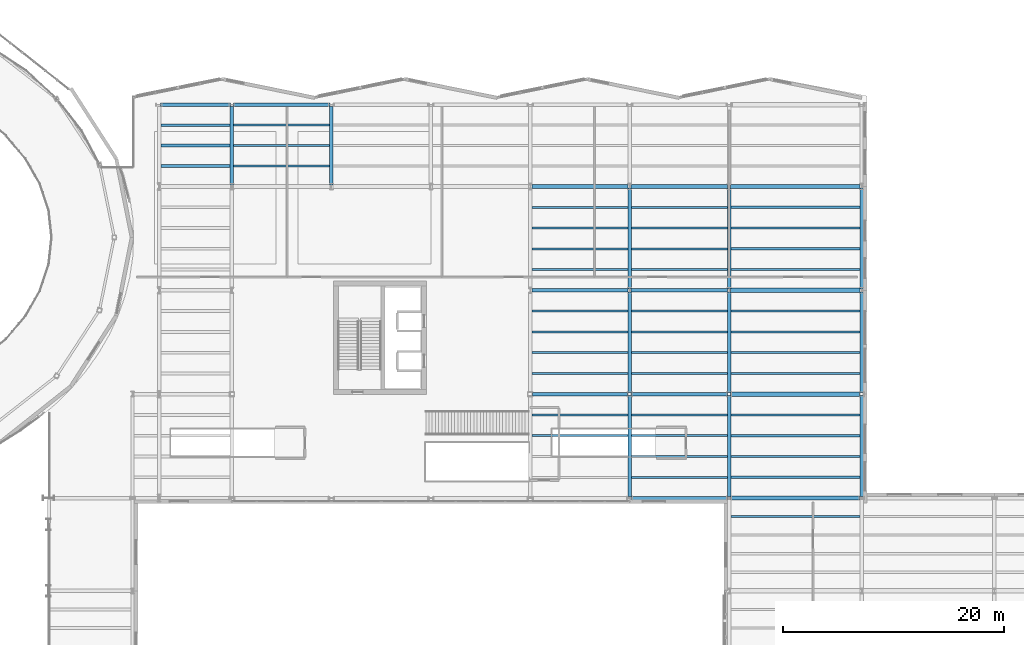
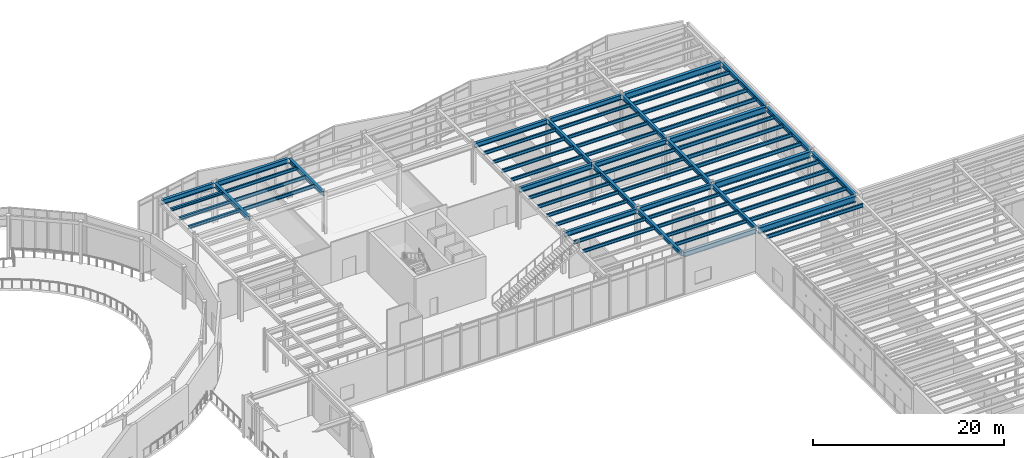
# One storey, part 59 of 98: 65 beams.
"""IFC4 building model written with IfcOpenShell, lengths in metres."""

from ifc_helpers import new_model, si_unit, direction, frame, origin, origin_2d, place, context, subcontext, project, spatial, i_section, extrude, material, material_profile, profile_set, type_object, element, save


model = new_model("IFC4")

# Units and contexts
model_context = context("Model", 3, precision=1e-05, world=origin(), true_north=direction((0.0, 1.0)))
body_context = subcontext(model_context, "Body", "Model", "MODEL_VIEW")
ifc_project = project(units=[si_unit("LENGTHUNIT", "METRE"), si_unit("AREAUNIT", "SQUARE_METRE"), si_unit("VOLUMEUNIT", "CUBIC_METRE"), si_unit("PLANEANGLEUNIT", "RADIAN"), si_unit("MASSUNIT", "GRAM", prefix="KILO")], contexts=[model_context])

# Site, building, storey
site_placement = place(None, origin())
site = spatial("IfcSite", under=ifc_project, at=site_placement, CompositionType="ELEMENT")
building_placement = place(site_placement, origin())
building = spatial("IfcBuilding", under=site, at=building_placement, Name="Sollismere Congress Hotel", CompositionType="ELEMENT")
storey_placement = place(building_placement, frame((0.0, 0.0, 5.39990234375)))
storey = spatial("IfcBuildingStorey", under=building, at=storey_placement, Name="L01", CompositionType="ELEMENT", Elevation=5.39990234375)

# Beams
ifc_material = material(Name="Steel ASTM A992 Grade 50", Category="steel")
ifc_material_profile_1 = material_profile(ifc_material, i_section(OverallWidth=0.31494140625, OverallDepth=0.551025390625, WebThickness=0.01513671875, FlangeThickness=0.0244140625, at=origin_2d()), Name="W21X122")
ifc_profile_set_1 = profile_set([ifc_material_profile_1], Name="Steel ASTM A992 Grade 50")
beam_type_1 = type_object("IfcBeamType", Name="BM-G21H", PredefinedType="BEAM", material=ifc_profile_set_1)
for number, where, z_axis, x_axis, name in (
    (1, (67.0, 95.139892578125, 4.844482421875), (0.0, 1.0, 0.0), (-1.0, 0.0, 0.0), "Beam BM-L01-1662"),
    (2, (76.0, 95.139892578125, 4.844482421875), (0.0, 1.0, 0.0), (-1.0, 0.0, 0.0), "Beam BM-L01-1665"),
):
    element("IfcBeam", number, at=place(storey_placement, frame(where, z_axis=z_axis, x_axis=x_axis)), inside=storey, type_object=beam_type_1, Name=name, PredefinedType="BEAM", context=body_context, shape_type="SweptSolid", body=[
        extrude(i_section(OverallWidth=0.31494140625, OverallDepth=0.551025390625, WebThickness=0.01513671875, FlangeThickness=0.0244140625, at=origin_2d()), origin(), (0.0, 0.0, 1.0), 7.1201171875),
    ])
beam_1_placement = place(storey_placement, frame((103.0, 66.93994140625, 4.844482421875), z_axis=(0.0, 1.0, 0.0), x_axis=(-1.0, 0.0, 0.0)))
element("IfcBeam", 3, at=beam_1_placement, inside=storey, type_object=beam_type_1, Name="Beam BM-L01-1675", PredefinedType="BEAM", context=body_context, shape_type="SweptSolid", body=[
    extrude(i_section(OverallWidth=0.31494140625, OverallDepth=0.551025390625, WebThickness=0.01513671875, FlangeThickness=0.0244140625, at=origin_2d()), origin(), (0.0, 0.0, 1.0), 9.1201171875),
])
beam_2_placement = place(storey_placement, frame((103.0, 76.340087890625, 4.844482421875), z_axis=(0.0, 1.0, 0.0), x_axis=(-1.0, 0.0, 0.0)))
element("IfcBeam", 4, at=beam_2_placement, inside=storey, type_object=beam_type_1, Name="Beam BM-L01-1676", PredefinedType="BEAM", context=body_context, shape_type="SweptSolid", body=[
    extrude(i_section(OverallWidth=0.31494140625, OverallDepth=0.551025390625, WebThickness=0.01513671875, FlangeThickness=0.0244140625, at=origin_2d()), origin(), (0.0, 0.0, 1.0), 9.119873046875),
])
for number, where, z_axis, x_axis, name in (
    (5, (103.0, 85.739990234375, 4.844482421875), (0.0, 1.0, 0.0), (-1.0, 0.0, 0.0), "Beam BM-L01-1677"),
    (6, (112.0, 66.93994140625, 4.844482421875), (0.0, 1.0, 0.0), (-1.0, 0.0, 0.0), "Beam BM-L01-1686"),
):
    element("IfcBeam", number, at=place(storey_placement, frame(where, z_axis=z_axis, x_axis=x_axis)), inside=storey, type_object=beam_type_1, Name=name, PredefinedType="BEAM", context=body_context, shape_type="SweptSolid", body=[
        extrude(i_section(OverallWidth=0.31494140625, OverallDepth=0.551025390625, WebThickness=0.01513671875, FlangeThickness=0.0244140625, at=origin_2d()), origin(), (0.0, 0.0, 1.0), 9.1201171875),
    ])
beam_3_placement = place(storey_placement, frame((112.0, 76.340087890625, 4.844482421875), z_axis=(0.0, 1.0, 0.0), x_axis=(-1.0, 0.0, 0.0)))
element("IfcBeam", 7, at=beam_3_placement, inside=storey, type_object=beam_type_1, Name="Beam BM-L01-1687", PredefinedType="BEAM", context=body_context, shape_type="SweptSolid", body=[
    extrude(i_section(OverallWidth=0.31494140625, OverallDepth=0.551025390625, WebThickness=0.01513671875, FlangeThickness=0.0244140625, at=origin_2d()), origin(), (0.0, 0.0, 1.0), 9.119873046875),
])
for number, where, z_axis, x_axis, name in (
    (8, (112.0, 85.739990234375, 4.844482421875), (0.0, 1.0, 0.0), (-1.0, 0.0, 0.0), "Beam BM-L01-1688"),
    (9, (124.0, 66.93994140625, 4.844482421875), (0.0, 1.0, 0.0), (-1.0, 0.0, 0.0), "Beam BM-L01-1697"),
):
    element("IfcBeam", number, at=place(storey_placement, frame(where, z_axis=z_axis, x_axis=x_axis)), inside=storey, type_object=beam_type_1, Name=name, PredefinedType="BEAM", context=body_context, shape_type="SweptSolid", body=[
        extrude(i_section(OverallWidth=0.31494140625, OverallDepth=0.551025390625, WebThickness=0.01513671875, FlangeThickness=0.0244140625, at=origin_2d()), origin(), (0.0, 0.0, 1.0), 9.1201171875),
    ])
beam_4_placement = place(storey_placement, frame((124.0, 76.340087890625, 4.844482421875), z_axis=(0.0, 1.0, 0.0), x_axis=(-1.0, 0.0, 0.0)))
element("IfcBeam", 10, at=beam_4_placement, inside=storey, type_object=beam_type_1, Name="Beam BM-L01-1698", PredefinedType="BEAM", context=body_context, shape_type="SweptSolid", body=[
    extrude(i_section(OverallWidth=0.31494140625, OverallDepth=0.551025390625, WebThickness=0.01513671875, FlangeThickness=0.0244140625, at=origin_2d()), origin(), (0.0, 0.0, 1.0), 9.119873046875),
])
beam_5_placement = place(storey_placement, frame((124.0, 85.739990234375, 4.844482421875), z_axis=(0.0, 1.0, 0.0), x_axis=(-1.0, 0.0, 0.0)))
element("IfcBeam", 11, at=beam_5_placement, inside=storey, type_object=beam_type_1, Name="Beam BM-L01-1699", PredefinedType="BEAM", context=body_context, shape_type="SweptSolid", body=[
    extrude(i_section(OverallWidth=0.31494140625, OverallDepth=0.551025390625, WebThickness=0.01513671875, FlangeThickness=0.0244140625, at=origin_2d()), origin(), (0.0, 0.0, 1.0), 9.1201171875),
])
ifc_material_profile_2 = material_profile(ifc_material, i_section(OverallWidth=0.324951171875, OverallDepth=0.612060546875, WebThickness=0.0126953125, FlangeThickness=0.01904296875, at=origin_2d()), Name="W24X104")
ifc_profile_set_2 = profile_set([ifc_material_profile_2], Name="Steel ASTM A992 Grade 50")
beam_type_2 = type_object("IfcBeamType", Name="BM-G24", PredefinedType="BEAM", material=ifc_profile_set_2)
for number, where, z_axis, x_axis, name in (
    (12, (103.139892578125, 66.800048828125, 4.814208984375), (1.0, 0.0, 0.0), (0.0, 1.0, 0.0), "Beam BM-L01-1594"),
    (13, (94.139892578125, 76.199951171875, 4.814208984375), (1.0, 0.0, 0.0), (0.0, 1.0, 0.0), "Beam BM-L01-1602"),
    (14, (103.139892578125, 76.199951171875, 4.814208984375), (1.0, 0.0, 0.0), (0.0, 1.0, 0.0), "Beam BM-L01-1603"),
    (15, (94.139892578125, 85.60009765625, 4.814208984375), (1.0, 0.0, 0.0), (0.0, 1.0, 0.0), "Beam BM-L01-1606"),
    (16, (103.139892578125, 85.60009765625, 4.814208984375), (1.0, 0.0, 0.0), (0.0, 1.0, 0.0), "Beam BM-L01-1607"),
    (17, (94.139892578125, 95.0, 4.814208984375), (1.0, 0.0, 0.0), (0.0, 1.0, 0.0), "Beam BM-L01-1613"),
    (18, (103.139892578125, 95.0, 4.814208984375), (1.0, 0.0, 0.0), (0.0, 1.0, 0.0), "Beam BM-L01-1614"),
):
    element("IfcBeam", number, at=place(storey_placement, frame(where, z_axis=z_axis, x_axis=x_axis)), inside=storey, type_object=beam_type_2, Name=name, PredefinedType="BEAM", context=body_context, shape_type="SweptSolid", body=[
        extrude(i_section(OverallWidth=0.324951171875, OverallDepth=0.612060546875, WebThickness=0.0126953125, FlangeThickness=0.01904296875, at=origin_2d()), origin(), (0.0, 0.0, 1.0), 8.72021484375),
    ])
beam_6_placement = place(storey_placement, frame((60.5400390625, 102.39990234375, 4.814208984375), z_axis=(1.0, 0.0, 0.0), x_axis=(0.0, 1.0, 0.0)))
element("IfcBeam", 19, at=beam_6_placement, inside=storey, type_object=beam_type_2, Name="Beam BM-L01-1616", PredefinedType="BEAM", context=body_context, shape_type="SweptSolid", body=[
    extrude(i_section(OverallWidth=0.324951171875, OverallDepth=0.612060546875, WebThickness=0.0126953125, FlangeThickness=0.01904296875, at=origin_2d()), origin(), (0.0, 0.0, 1.0), 6.320068359375),
])
beam_7_placement = place(storey_placement, frame((67.139892578125, 102.39990234375, 4.814208984375), z_axis=(1.0, 0.0, 0.0), x_axis=(0.0, 1.0, 0.0)))
element("IfcBeam", 20, at=beam_7_placement, inside=storey, type_object=beam_type_2, Name="Beam BM-L01-1617", PredefinedType="BEAM", context=body_context, shape_type="SweptSolid", body=[
    extrude(i_section(OverallWidth=0.324951171875, OverallDepth=0.612060546875, WebThickness=0.0126953125, FlangeThickness=0.01904296875, at=origin_2d()), origin(), (0.0, 0.0, 1.0), 8.72021484375),
])
ifc_material_profile_3 = material_profile(ifc_material, i_section(OverallWidth=0.384033203125, OverallDepth=0.787109375, WebThickness=0.019775390625, FlangeThickness=0.033447265625, at=origin_2d()), Name="W30X211")
ifc_profile_set_3 = profile_set([ifc_material_profile_3], Name="Steel ASTM A992 Grade 50")
beam_type_3 = type_object("IfcBeamType", Name="BM-G30", PredefinedType="BEAM", material=ifc_profile_set_3)
for number, where, z_axis, x_axis, name in (
    (21, (112.139892578125, 66.800048828125, 4.7265625), (1.0, 0.0, 0.0), (0.0, 1.0, 0.0), "Beam BM-L01-1595"),
    (22, (112.139892578125, 76.199951171875, 4.7265625), (1.0, 0.0, 0.0), (0.0, 1.0, 0.0), "Beam BM-L01-1604"),
    (23, (112.139892578125, 85.60009765625, 4.7265625), (1.0, 0.0, 0.0), (0.0, 1.0, 0.0), "Beam BM-L01-1608"),
    (24, (112.139892578125, 95.0, 4.7265625), (1.0, 0.0, 0.0), (0.0, 1.0, 0.0), "Beam BM-L01-1615"),
):
    element("IfcBeam", number, at=place(storey_placement, frame(where, z_axis=z_axis, x_axis=x_axis)), inside=storey, type_object=beam_type_3, Name=name, PredefinedType="BEAM", context=body_context, shape_type="SweptSolid", body=[
        extrude(i_section(OverallWidth=0.384033203125, OverallDepth=0.787109375, WebThickness=0.019775390625, FlangeThickness=0.033447265625, at=origin_2d()), origin(), (0.0, 0.0, 1.0), 11.72021484375),
    ])
ifc_material_profile_4 = material_profile(ifc_material, i_section(OverallWidth=0.25390625, OverallDepth=0.35595703125, WebThickness=0.010498046875, FlangeThickness=0.018310546875, at=origin_2d()), Name="W14X68")
ifc_profile_set_4 = profile_set([ifc_material_profile_4], Name="Steel ASTM A992 Grade 50")
beam_type_4 = type_object("IfcBeamType", Name="BM-J14", PredefinedType="JOIST", material=ifc_profile_set_4)
for number, where, z_axis, x_axis, name in (
    (25, (60.5576171875, 96.85009765625, 4.942138671875), (1.0, 0.0, 0.0), (0.0, 1.0, 0.0), "Beam BM-L01-1791"),
    (26, (60.5576171875, 98.699951171875, 4.942138671875), (1.0, 0.0, 0.0), (0.0, 1.0, 0.0), "Beam BM-L01-1792"),
    (27, (60.5576171875, 100.550048828125, 4.942138671875), (1.0, 0.0, 0.0), (0.0, 1.0, 0.0), "Beam BM-L01-1793"),
):
    element("IfcBeam", number, at=place(storey_placement, frame(where, z_axis=z_axis, x_axis=x_axis)), inside=storey, type_object=beam_type_4, Name=name, PredefinedType="JOIST", context=body_context, shape_type="SweptSolid", body=[
        extrude(i_section(OverallWidth=0.25390625, OverallDepth=0.35595703125, WebThickness=0.010498046875, FlangeThickness=0.018310546875, at=origin_2d()), origin(), (0.0, 0.0, 1.0), 6.284912109375),
    ])
ifc_material_profile_5 = material_profile(ifc_material, i_section(OverallWidth=0.180908203125, OverallDepth=0.4169921875, WebThickness=0.010986328125, FlangeThickness=0.018310546875, at=origin_2d()), Name="W16X57")
ifc_profile_set_5 = profile_set([ifc_material_profile_5], Name="Steel ASTM A992 Grade 50")
beam_type_5 = type_object("IfcBeamType", Name="BM-J16", PredefinedType="JOIST", material=ifc_profile_set_5)
for number, where, z_axis, x_axis, name in (
    (28, (67.157470703125, 96.85009765625, 4.91162109375), (1.0, 0.0, 0.0), (0.0, 1.0, 0.0), "Beam BM-L01-1802"),
    (29, (67.157470703125, 98.699951171875, 4.91162109375), (1.0, 0.0, 0.0), (0.0, 1.0, 0.0), "Beam BM-L01-1803"),
    (30, (67.157470703125, 100.550048828125, 4.91162109375), (1.0, 0.0, 0.0), (0.0, 1.0, 0.0), "Beam BM-L01-1804"),
    (31, (94.157470703125, 72.43994140625, 4.91162109375), (1.0, 0.0, 0.0), (0.0, 1.0, 0.0), "Beam BM-L01-1829"),
    (32, (94.157470703125, 74.320068359375, 4.91162109375), (1.0, 0.0, 0.0), (0.0, 1.0, 0.0), "Beam BM-L01-1830"),
    (33, (94.157470703125, 78.080078125, 4.91162109375), (1.0, 0.0, 0.0), (0.0, 1.0, 0.0), "Beam BM-L01-1831"),
    (34, (94.157470703125, 79.9599609375, 4.91162109375), (1.0, 0.0, 0.0), (0.0, 1.0, 0.0), "Beam BM-L01-1832"),
    (35, (94.157470703125, 81.840087890625, 4.91162109375), (1.0, 0.0, 0.0), (0.0, 1.0, 0.0), "Beam BM-L01-1833"),
    (36, (94.157470703125, 83.719970703125, 4.91162109375), (1.0, 0.0, 0.0), (0.0, 1.0, 0.0), "Beam BM-L01-1834"),
    (37, (94.157470703125, 87.47998046875, 4.91162109375), (1.0, 0.0, 0.0), (0.0, 1.0, 0.0), "Beam BM-L01-1835"),
    (38, (94.157470703125, 89.360107421875, 4.91162109375), (1.0, 0.0, 0.0), (0.0, 1.0, 0.0), "Beam BM-L01-1836"),
    (39, (94.157470703125, 91.239990234375, 4.91162109375), (1.0, 0.0, 0.0), (0.0, 1.0, 0.0), "Beam BM-L01-1837"),
    (40, (94.157470703125, 93.1201171875, 4.91162109375), (1.0, 0.0, 0.0), (0.0, 1.0, 0.0), "Beam BM-L01-1838"),
    (41, (103.157470703125, 68.679931640625, 4.91162109375), (1.0, 0.0, 0.0), (0.0, 1.0, 0.0), "Beam BM-L01-1846"),
    (42, (103.157470703125, 70.56005859375, 4.91162109375), (1.0, 0.0, 0.0), (0.0, 1.0, 0.0), "Beam BM-L01-1847"),
    (43, (103.157470703125, 72.43994140625, 4.91162109375), (1.0, 0.0, 0.0), (0.0, 1.0, 0.0), "Beam BM-L01-1848"),
    (44, (103.157470703125, 74.320068359375, 4.91162109375), (1.0, 0.0, 0.0), (0.0, 1.0, 0.0), "Beam BM-L01-1849"),
    (45, (103.157470703125, 78.080078125, 4.91162109375), (1.0, 0.0, 0.0), (0.0, 1.0, 0.0), "Beam BM-L01-1850"),
    (46, (103.157470703125, 79.9599609375, 4.91162109375), (1.0, 0.0, 0.0), (0.0, 1.0, 0.0), "Beam BM-L01-1851"),
    (47, (103.157470703125, 81.840087890625, 4.91162109375), (1.0, 0.0, 0.0), (0.0, 1.0, 0.0), "Beam BM-L01-1852"),
    (48, (103.157470703125, 83.719970703125, 4.91162109375), (1.0, 0.0, 0.0), (0.0, 1.0, 0.0), "Beam BM-L01-1853"),
    (49, (103.157470703125, 87.47998046875, 4.91162109375), (1.0, 0.0, 0.0), (0.0, 1.0, 0.0), "Beam BM-L01-1854"),
    (50, (103.157470703125, 89.360107421875, 4.91162109375), (1.0, 0.0, 0.0), (0.0, 1.0, 0.0), "Beam BM-L01-1855"),
    (51, (103.157470703125, 91.239990234375, 4.91162109375), (1.0, 0.0, 0.0), (0.0, 1.0, 0.0), "Beam BM-L01-1856"),
    (52, (103.157470703125, 93.1201171875, 4.91162109375), (1.0, 0.0, 0.0), (0.0, 1.0, 0.0), "Beam BM-L01-1857"),
):
    element("IfcBeam", number, at=place(storey_placement, frame(where, z_axis=z_axis, x_axis=x_axis)), inside=storey, type_object=beam_type_5, Name=name, PredefinedType="JOIST", context=body_context, shape_type="SweptSolid", body=[
        extrude(i_section(OverallWidth=0.180908203125, OverallDepth=0.4169921875, WebThickness=0.010986328125, FlangeThickness=0.018310546875, at=origin_2d()), origin(), (0.0, 0.0, 1.0), 8.68505859375),
    ])
ifc_material_profile_6 = material_profile(ifc_material, i_section(OverallWidth=0.193115234375, OverallDepth=0.467041015625, WebThickness=0.011474609375, FlangeThickness=0.01904296875, at=origin_2d()), Name="W18X65")
ifc_profile_set_6 = profile_set([ifc_material_profile_6], Name="Steel ASTM A992 Grade 50")
beam_type_6 = type_object("IfcBeamType", Name="BM-J18", PredefinedType="JOIST", material=ifc_profile_set_6)
for number, where, z_axis, x_axis, name in (
    (53, (112.157470703125, 65.1201171875, 4.88671875), (1.0, 0.0, 0.0), (0.0, 1.0, 0.0), "Beam BM-L01-1888"),
    (54, (112.157470703125, 68.679931640625, 4.88671875), (1.0, 0.0, 0.0), (0.0, 1.0, 0.0), "Beam BM-L01-1889"),
    (55, (112.157470703125, 70.56005859375, 4.88671875), (1.0, 0.0, 0.0), (0.0, 1.0, 0.0), "Beam BM-L01-1890"),
    (56, (112.157470703125, 72.43994140625, 4.88671875), (1.0, 0.0, 0.0), (0.0, 1.0, 0.0), "Beam BM-L01-1891"),
    (57, (112.157470703125, 74.320068359375, 4.88671875), (1.0, 0.0, 0.0), (0.0, 1.0, 0.0), "Beam BM-L01-1892"),
    (58, (112.157470703125, 78.080078125, 4.88671875), (1.0, 0.0, 0.0), (0.0, 1.0, 0.0), "Beam BM-L01-1893"),
    (59, (112.157470703125, 79.9599609375, 4.88671875), (1.0, 0.0, 0.0), (0.0, 1.0, 0.0), "Beam BM-L01-1894"),
    (60, (112.157470703125, 81.840087890625, 4.88671875), (1.0, 0.0, 0.0), (0.0, 1.0, 0.0), "Beam BM-L01-1895"),
    (61, (112.157470703125, 83.719970703125, 4.88671875), (1.0, 0.0, 0.0), (0.0, 1.0, 0.0), "Beam BM-L01-1896"),
    (62, (112.157470703125, 87.47998046875, 4.88671875), (1.0, 0.0, 0.0), (0.0, 1.0, 0.0), "Beam BM-L01-1897"),
    (63, (112.157470703125, 89.360107421875, 4.88671875), (1.0, 0.0, 0.0), (0.0, 1.0, 0.0), "Beam BM-L01-1898"),
    (64, (112.157470703125, 91.239990234375, 4.88671875), (1.0, 0.0, 0.0), (0.0, 1.0, 0.0), "Beam BM-L01-1899"),
    (65, (112.157470703125, 93.1201171875, 4.88671875), (1.0, 0.0, 0.0), (0.0, 1.0, 0.0), "Beam BM-L01-1900"),
):
    element("IfcBeam", number, at=place(storey_placement, frame(where, z_axis=z_axis, x_axis=x_axis)), inside=storey, type_object=beam_type_6, Name=name, PredefinedType="JOIST", context=body_context, shape_type="SweptSolid", body=[
        extrude(i_section(OverallWidth=0.193115234375, OverallDepth=0.467041015625, WebThickness=0.011474609375, FlangeThickness=0.01904296875, at=origin_2d()), origin(), (0.0, 0.0, 1.0), 11.68505859375),
    ])

save(model, "model.ifc")
